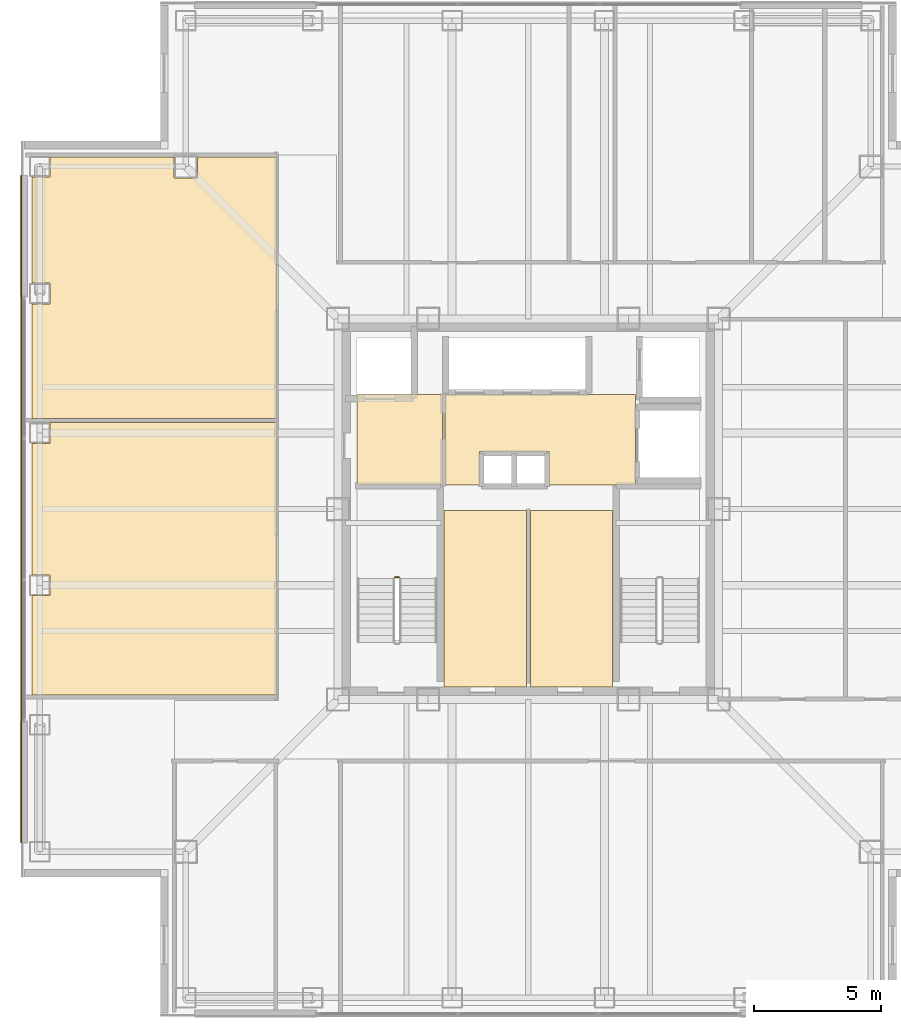
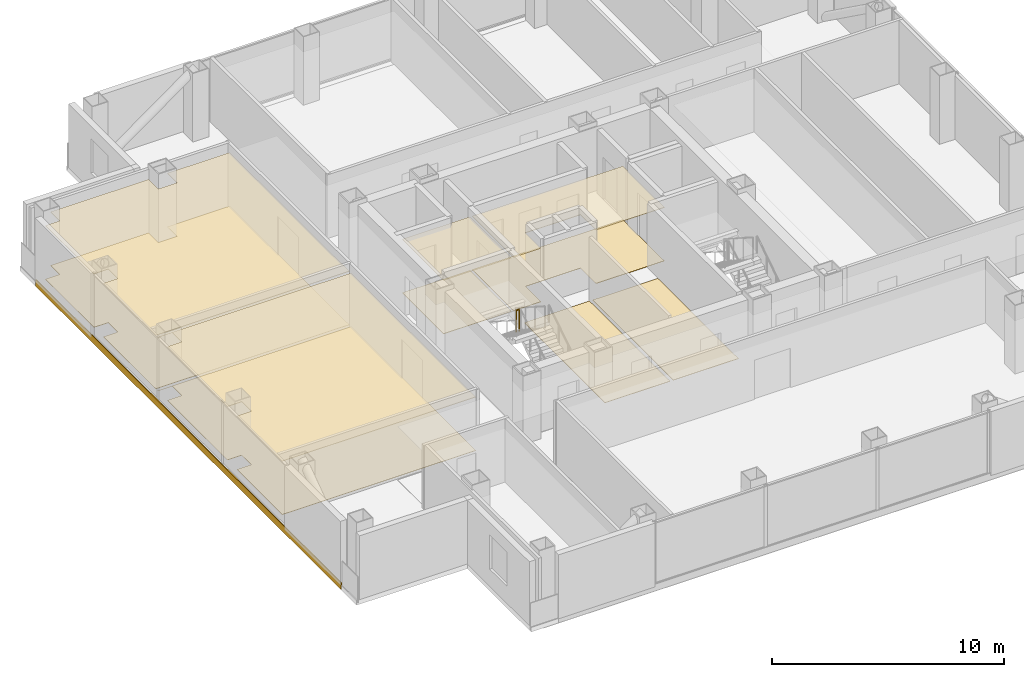
# One storey, part 13 of 16: 11 coverings, 1 railing.
"""IFC4 building model written with IfcOpenShell, lengths in metres."""

from ifc_helpers import new_model, si_unit, direction, frame, frame_2d, origin, origin_2d, place, context, subcontext, project, spatial, polyline, rectangle, circle, outline, extrude, material, layer, layer_set, type_object, element, save


model = new_model("IFC4")

# Units and contexts
model_context = context("Model", 3, precision=1e-05, world=origin(), true_north=direction((0.0, 1.0)))
body_context = subcontext(model_context, "Body", "Model", "MODEL_VIEW")
ifc_project = project(units=[si_unit("LENGTHUNIT", "METRE"), si_unit("AREAUNIT", "SQUARE_METRE"), si_unit("VOLUMEUNIT", "CUBIC_METRE"), si_unit("PLANEANGLEUNIT", "RADIAN"), si_unit("MASSUNIT", "GRAM", prefix="KILO")], contexts=[model_context])

# Site, building, storey
site_placement = place(None, origin())
site = spatial("IfcSite", under=ifc_project, at=site_placement, CompositionType="ELEMENT")
building_placement = place(site_placement, origin())
building = spatial("IfcBuilding", under=site, at=building_placement, Name="Trevonay Congress Spire", CompositionType="ELEMENT")
storey_placement = place(building_placement, frame((0.0, 0.0, 180.60009765625)))
storey = spatial("IfcBuildingStorey", under=building, at=storey_placement, Name="L46", CompositionType="ELEMENT", Elevation=180.60009765625)

# Coverings
ifc_material_1 = material(Name="Acoustic Mineral Fibre Board", Category="gypsum")
ifc_layer_1 = layer(ifc_material_1, 0.02490234375, Name="Acoustic Mineral Fibre Board")
ifc_layer_set_1 = layer_set([ifc_layer_1], Name="Acoustic Mineral Fibre Board")
covering_type_1 = type_object("IfcCoveringType", Name="COV-CEIL-ACOUSTIC", PredefinedType="CEILING", material=ifc_layer_set_1)
covering_1_placement = place(storey_placement, frame((0.0, 0.0, 2.809814453125)))
element("IfcCovering", 1, at=covering_1_placement, inside=storey, type_object=covering_type_1, Name="L46 Firefighting Lift Lobby West acoustic suspended ceiling", PredefinedType="CEILING", context=body_context, shape_type="SweptSolid", body=[
    extrude(outline(polyline([(-6.75, 0.9599609375), (-3.3798828125, 0.9599609375), (-3.3798828125, 4.52001953125), (-6.75, 4.52001953125), (-6.75, 0.9599609375)])), origin(), (0.0, 0.0, 1.0), 0.025146484375),
])
covering_2_placement = place(storey_placement, frame((0.0, 0.0, 2.809814453125)))
element("IfcCovering", 2, at=covering_2_placement, inside=storey, type_object=covering_type_1, Name="L46 Central and High-Rise Passenger Lift Lobby acoustic suspended ceiling", PredefinedType="CEILING", context=body_context, shape_type="SweptSolid", body=[
    extrude(outline(polyline([(-3.280029296875, 0.949951171875), (-1.919921875, 0.949951171875), (-1.919921875, 2.280029296875), (0.820068359375, 2.280029296875), (0.820068359375, 0.949951171875), (4.219970703125, 0.949951171875), (4.219970703125, 4.52001953125), (-3.280029296875, 4.52001953125), (-3.280029296875, 0.949951171875)])), origin(), (0.0, 0.0, 1.0), 0.025146484375),
])
covering_3_placement = place(storey_placement, frame((0.0, 0.0, 2.809814453125)))
element("IfcCovering", 3, at=covering_3_placement, inside=storey, type_object=covering_type_1, Name="L46 Claimant Caucus Boardroom acoustic suspended ceiling", PredefinedType="CEILING", context=body_context, shape_type="SweptSolid", body=[
    extrude(outline(polyline([(-19.550048828125, 3.419921875), (-9.929931640625, 3.419921875), (-9.929931640625, -7.320068359375), (-19.550048828125, -7.320068359375), (-19.550048828125, -3.409912109375), (-18.840087890625, -3.409912109375), (-18.840087890625, -2.590087890625), (-19.550048828125, -2.590087890625), (-19.550048828125, 2.590087890625), (-18.840087890625, 2.590087890625), (-18.840087890625, 3.409912109375), (-19.550048828125, 3.409912109375), (-19.550048828125, 3.419921875)])), origin(), (0.0, 0.0, 1.0), 0.025146484375),
])
covering_4_placement = place(storey_placement, frame((0.0, 0.0, 2.809814453125)))
element("IfcCovering", 4, at=covering_4_placement, inside=storey, type_object=covering_type_1, Name="L46 Respondent Caucus Boardroom acoustic suspended ceiling", PredefinedType="CEILING", context=body_context, shape_type="SweptSolid", body=[
    extrude(outline(polyline([(-9.929931640625, 13.8701171875), (-9.929931640625, 3.580078125), (-19.550048828125, 3.580078125), (-19.550048828125, 8.090087890625), (-18.840087890625, 8.090087890625), (-18.840087890625, 8.909912109375), (-19.550048828125, 8.909912109375), (-19.550048828125, 13.090087890625), (-18.840087890625, 13.090087890625), (-18.840087890625, 13.8701171875), (-13.9599609375, 13.8701171875), (-13.9599609375, 13.0400390625), (-13.0400390625, 13.0400390625), (-13.0400390625, 13.8701171875), (-9.929931640625, 13.8701171875)])), origin(), (0.0, 0.0, 1.0), 0.025146484375),
])
ifc_material_2 = material(Name="Polished Granite Floor Tile", Category="masonry")
ifc_layer_2 = layer(ifc_material_2, 0.02001953125, Name="Polished Granite Floor Tile")
ifc_layer_set_2 = layer_set([ifc_layer_2], Name="Polished Granite Floor Tile")
covering_type_2 = type_object("IfcCoveringType", Name="COV-FLOOR-STONE", PredefinedType="FLOORING", material=ifc_layer_set_2)
covering_5_placement = place(storey_placement, origin())
element("IfcCovering", 5, at=covering_5_placement, inside=storey, type_object=covering_type_2, Name="L46 Firefighting Lift Lobby West floor finish", PredefinedType="FLOORING", context=body_context, shape_type="SweptSolid", body=[
    extrude(outline(polyline([(-6.75, 0.9599609375), (-3.3798828125, 0.9599609375), (-3.3798828125, 4.52001953125), (-6.75, 4.52001953125), (-6.75, 0.9599609375)])), origin(), (0.0, 0.0, 1.0), 0.02001953125),
])
covering_6_placement = place(storey_placement, origin())
element("IfcCovering", 6, at=covering_6_placement, inside=storey, type_object=covering_type_2, Name="L46 Central and High-Rise Passenger Lift Lobby floor finish", PredefinedType="FLOORING", context=body_context, shape_type="SweptSolid", body=[
    extrude(outline(polyline([(-3.280029296875, 0.949951171875), (-1.919921875, 0.949951171875), (-1.919921875, 2.280029296875), (0.820068359375, 2.280029296875), (0.820068359375, 0.949951171875), (4.219970703125, 0.949951171875), (4.219970703125, 4.52001953125), (-3.280029296875, 4.52001953125), (-3.280029296875, 0.949951171875)])), origin(), (0.0, 0.0, 1.0), 0.02001953125),
])
covering_7_placement = place(storey_placement, origin())
element("IfcCovering", 7, at=covering_7_placement, inside=storey, type_object=covering_type_2, Name="L46 Core Server and IT Hub floor finish", PredefinedType="FLOORING", context=body_context, shape_type="SweptSolid", body=[
    extrude(outline(polyline([(-3.320068359375, -7.0), (-0.080078125, -7.0), (-0.080078125, -0.050048828125), (-3.320068359375, -0.050048828125), (-3.320068359375, -7.0)])), origin(), (0.0, 0.0, 1.0), 0.02001953125),
])
covering_8_placement = place(storey_placement, origin())
element("IfcCovering", 8, at=covering_8_placement, inside=storey, type_object=covering_type_2, Name="L46 Core Document Archive Room floor finish", PredefinedType="FLOORING", context=body_context, shape_type="SweptSolid", body=[
    extrude(outline(polyline([(0.080078125, -7.0), (3.320068359375, -7.0), (3.320068359375, -0.050048828125), (0.080078125, -0.050048828125), (0.080078125, -7.0)])), origin(), (0.0, 0.0, 1.0), 0.02001953125),
])
ifc_material_3 = material(Name="Engineered Oak Flooring", Category="wood")
ifc_layer_3 = layer(ifc_material_3, 0.01806640625, Name="Engineered Oak Flooring")
ifc_layer_set_3 = layer_set([ifc_layer_3], Name="Engineered Oak Flooring")
covering_type_3 = type_object("IfcCoveringType", Name="COV-FLOOR-TIMBER", PredefinedType="FLOORING", material=ifc_layer_set_3)
covering_9_placement = place(storey_placement, origin())
element("IfcCovering", 9, at=covering_9_placement, inside=storey, type_object=covering_type_3, Name="L46 Claimant Caucus Boardroom floor finish", PredefinedType="FLOORING", context=body_context, shape_type="SweptSolid", body=[
    extrude(outline(polyline([(-19.550048828125, 3.419921875), (-9.929931640625, 3.419921875), (-9.929931640625, -7.320068359375), (-19.550048828125, -7.320068359375), (-19.550048828125, -3.409912109375), (-18.840087890625, -3.409912109375), (-18.840087890625, -2.590087890625), (-19.550048828125, -2.590087890625), (-19.550048828125, 2.590087890625), (-18.840087890625, 2.590087890625), (-18.840087890625, 3.409912109375), (-19.550048828125, 3.409912109375), (-19.550048828125, 3.419921875)])), origin(), (0.0, 0.0, 1.0), 0.017822265625),
])
covering_10_placement = place(storey_placement, origin())
element("IfcCovering", 10, at=covering_10_placement, inside=storey, type_object=covering_type_3, Name="L46 Respondent Caucus Boardroom floor finish", PredefinedType="FLOORING", context=body_context, shape_type="SweptSolid", body=[
    extrude(outline(polyline([(-9.929931640625, 13.8701171875), (-9.929931640625, 3.580078125), (-19.550048828125, 3.580078125), (-19.550048828125, 8.090087890625), (-18.840087890625, 8.090087890625), (-18.840087890625, 8.909912109375), (-19.550048828125, 8.909912109375), (-19.550048828125, 13.090087890625), (-18.840087890625, 13.090087890625), (-18.840087890625, 13.8701171875), (-13.9599609375, 13.8701171875), (-13.9599609375, 13.0400390625), (-13.0400390625, 13.0400390625), (-13.0400390625, 13.8701171875), (-9.929931640625, 13.8701171875)])), origin(), (0.0, 0.0, 1.0), 0.017822265625),
])
ifc_material_4 = material(Name="Pale Anodised Aluminium EN AW-6063-T6", Category="aluminium")
ifc_layer_4 = layer(ifc_material_4, 0.0400390625, Name="Pale Anodised Aluminium EN AW-6063-T6")
ifc_layer_set_4 = layer_set([ifc_layer_4], Name="Pale Anodised Aluminium EN AW-6063-T6")
covering_type_4 = type_object("IfcCoveringType", Name="COV-SPANDREL-PALE-METAL", PredefinedType="CLADDING", material=ifc_layer_set_4)
covering_11_placement = place(storey_placement, frame((-19.97998046875, -13.14990234375, -0.239990234375), z_axis=(0.0, 0.0, 1.0), x_axis=(0.0, 1.0, 0.0)))
element("IfcCovering", 11, at=covering_11_placement, inside=storey, type_object=covering_type_4, Name="L46 W pale-metal slab-edge spandrel cladding", PredefinedType="CLADDING", context=body_context, shape_type="SweptSolid", body=[
    extrude(rectangle(XDim=26.2998046875, YDim=0.0400390625, at=frame_2d((13.14990234375, 0.0))), origin(), (0.0, 0.0, 1.0), 0.35986328125),
])

# Railing
railing_type = type_object("IfcRailingType", Name="RAL-STAIR-GUARD-110", PredefinedType="GUARDRAIL", material=ifc_material_4)
railing_placement = place(storey_placement, frame((-5.10009765625, -2.679931640625, 1.7998046875)))
element("IfcRailing", 12, at=railing_placement, inside=storey, type_object=railing_type, Name="L46 ST-1 stair guard 2", PredefinedType="GUARDRAIL", context=body_context, shape_type="SweptSolid", body=[
    extrude(circle(Radius=0.02392578125, at=origin_2d()), frame((0.0, 0.0, 1.1259765625), z_axis=(-1.0, 0.0, 0.0), x_axis=(0.0, -1.0, 0.0)), (0.0, 0.0, 1.0), 0.14990234375),
    extrude(circle(Radius=0.02099609375, at=origin_2d()), origin(), (0.0, 0.0, 1.0), 1.101806640625),
    extrude(circle(Radius=0.02099609375, at=origin_2d()), frame((-0.14990234375, 0.0, 0.0)), (0.0, 0.0, 1.0), 1.101806640625),
])

save(model, "model.ifc")
